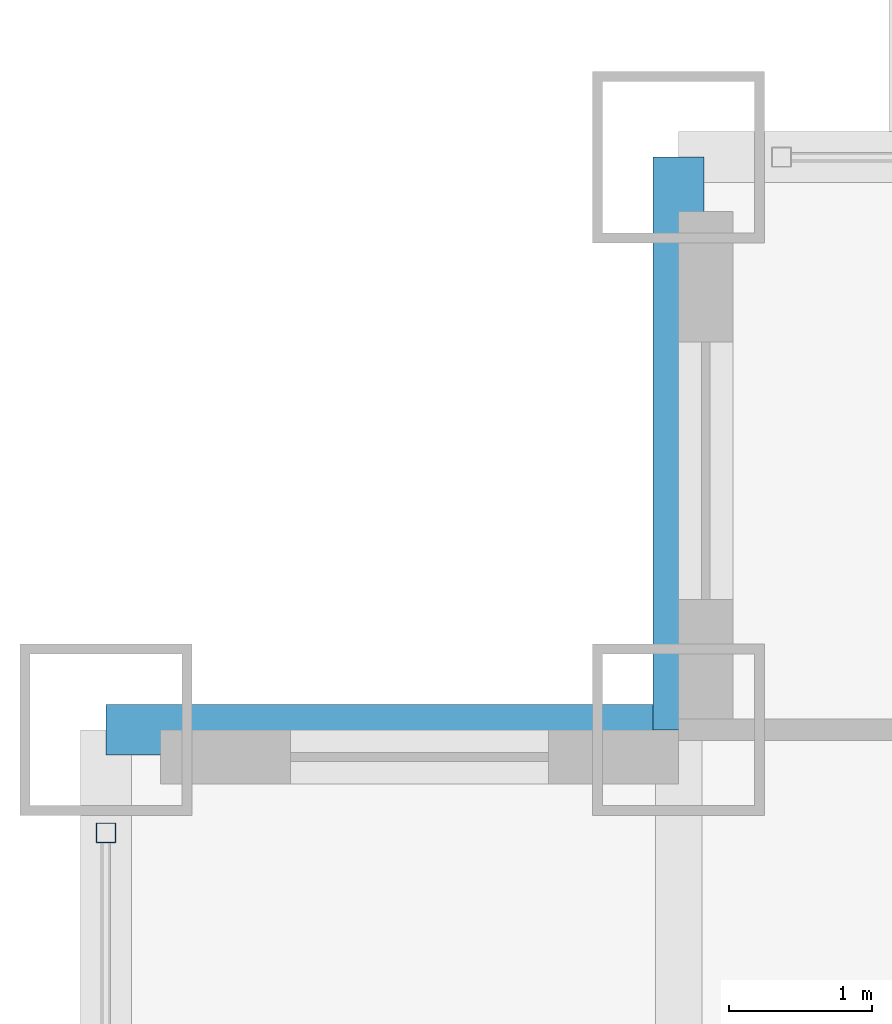
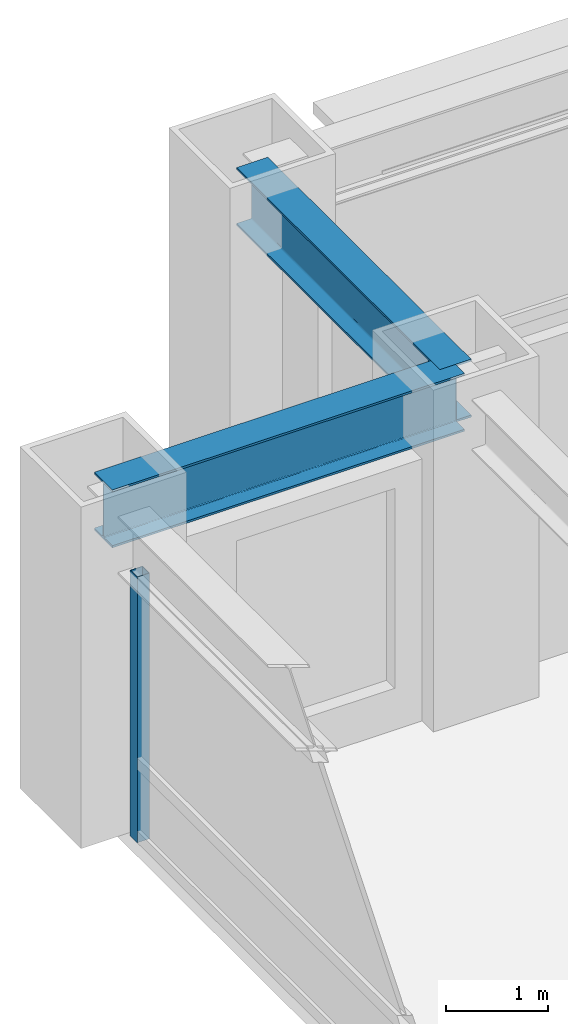
# One storey, part 10 of 32: 2 beams, 1 member, 1 element without a shape of its own.
"""IFC4 building model written with IfcOpenShell, lengths in metres."""

from ifc_helpers import new_model, si_unit, direction, frame, origin, origin_2d, place, context, subcontext, project, spatial, hollow_rectangle, i_section, extrude, source, transform, mapped, material, material_profile, profile_set, type_object, element, aggregate, save


model = new_model("IFC4")

# Units and contexts
model_context = context("Model", 3, precision=1e-05, world=origin(), true_north=direction((0.0, 1.0)))
body_context = subcontext(model_context, "Body", "Model", "MODEL_VIEW")
ifc_project = project(units=[si_unit("LENGTHUNIT", "METRE"), si_unit("AREAUNIT", "SQUARE_METRE"), si_unit("VOLUMEUNIT", "CUBIC_METRE"), si_unit("PLANEANGLEUNIT", "RADIAN"), si_unit("MASSUNIT", "GRAM", prefix="KILO")], contexts=[model_context])

# Site, building, storey
site_placement = place(None, origin())
site = spatial("IfcSite", under=ifc_project, at=site_placement, CompositionType="ELEMENT")
building_placement = place(site_placement, origin())
building = spatial("IfcBuilding", under=site, at=building_placement, Name="Khorayat Bourse Tower", CompositionType="ELEMENT")
storey_placement = place(building_placement, frame((0.0, 0.0, 99.60009765625)))
storey = spatial("IfcBuildingStorey", under=building, at=storey_placement, Name="L22", CompositionType="ELEMENT", Elevation=99.60009765625)

# Beams
ifc_material_1 = material(Name="Steel ASTM A992 Grade 50", Category="steel")
ifc_material_profile_1 = material_profile(ifc_material_1, i_section(OverallWidth=0.35498046875, OverallDepth=0.695068359375, WebThickness=0.015380859375, FlangeThickness=0.02490234375, FilletRadius=0.01806640625, at=origin_2d()), Name="W690X217")
ifc_profile_set_1 = profile_set([ifc_material_profile_1], Name="Steel ASTM A992 Grade 50")
beam_type = type_object("IfcBeamType", Name="BM-SPAN-690", PredefinedType="SPANDREL", material=ifc_profile_set_1)
shared_shape_1 = source(origin(), body_context, "Body", "SweptSolid", [
    extrude(i_section(OverallWidth=0.35498046875, OverallDepth=0.695068359375, WebThickness=0.015380859375, FlangeThickness=0.02490234375, FilletRadius=0.01806640625, at=origin_2d()), origin(), (0.0, 0.0, 1.0), 4.0),
])
for number, where, z_axis, x_axis, name in (
    (1, (-28.0, 28.0, 3.492431640625), (0.0, 1.0, 0.0), (-1.0, 0.0, 0.0), "L22 BM-SPAN-690 BM-L22-SPN-052"),
    (2, (-32.0, 28.0, 3.492431640625), (1.0, 0.0, 0.0), (0.0, 1.0, 0.0), "L22 BM-SPAN-690 BM-L22-SPN-053"),
):
    element("IfcBeam", number, at=place(storey_placement, frame(where, z_axis=z_axis, x_axis=x_axis)), inside=storey, type_object=beam_type, Name=name, PredefinedType="SPANDREL", context=body_context, shape_type="MappedRepresentation", body=[
        mapped(shared_shape_1, transform((0.0, 0.0, 0.0), scale=1.0)),
    ])

# Curtain wall, member
ifc_material_2 = material(Name="Aluminium EN AW-6063 T6", Category="aluminium")
curtain_wall_type = type_object("IfcCurtainWallType", Name="CW-SYS-02", PredefinedType="NOTDEFINED", material=ifc_material_2)
curtain_wall_placement = place(storey_placement, origin())
curtain_wall = element("IfcCurtainWall", 3, at=curtain_wall_placement, inside=storey, type_object=curtain_wall_type, Name="L22 Curtain Wall CW-L22-W1", PredefinedType="NOTDEFINED")
ifc_material_profile_2 = material_profile(ifc_material_2, hollow_rectangle(XDim=0.139892578125, YDim=0.139892578125, WallThickness=0.006103515625, at=origin_2d()), Name="ALU 140x140x6")
ifc_profile_set_2 = profile_set([ifc_material_profile_2], Name="Aluminium EN AW-6063 T6")
member_type = type_object("IfcMemberType", Name="CWM-VERT-140", PredefinedType="MULLION", material=ifc_profile_set_2)
shared_shape_2 = source(origin(), body_context, "Body", "SweptSolid", [
    extrude(hollow_rectangle(XDim=0.139892578125, YDim=0.139892578125, WallThickness=0.006103515625, at=origin_2d()), origin(), (0.0, 0.0, 1.0), 3.18994140625),
])
member_placement = place(storey_placement, frame((-32.0, 27.280029296875, 0.0), z_axis=(0.0, 0.0, 1.0), x_axis=(-1.0, 0.0, 0.0)))
member = element("IfcMember", 4, at=member_placement, type_object=member_type, Name="CW-L22-W1 Vertical Mullion 3", PredefinedType="MULLION", context=body_context, shape_type="MappedRepresentation", body=[
    mapped(shared_shape_2, transform((0.0, 0.0, 0.0), scale=1.0)),
])
aggregate(curtain_wall, [member])

save(model, "model.ifc")
